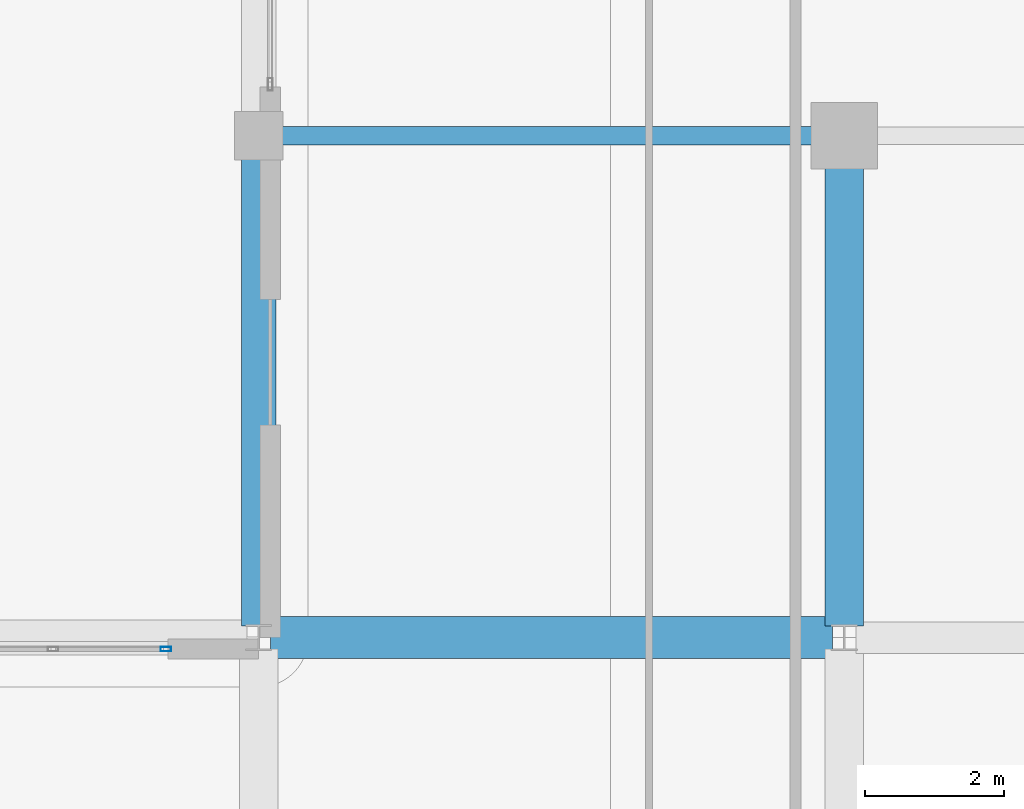
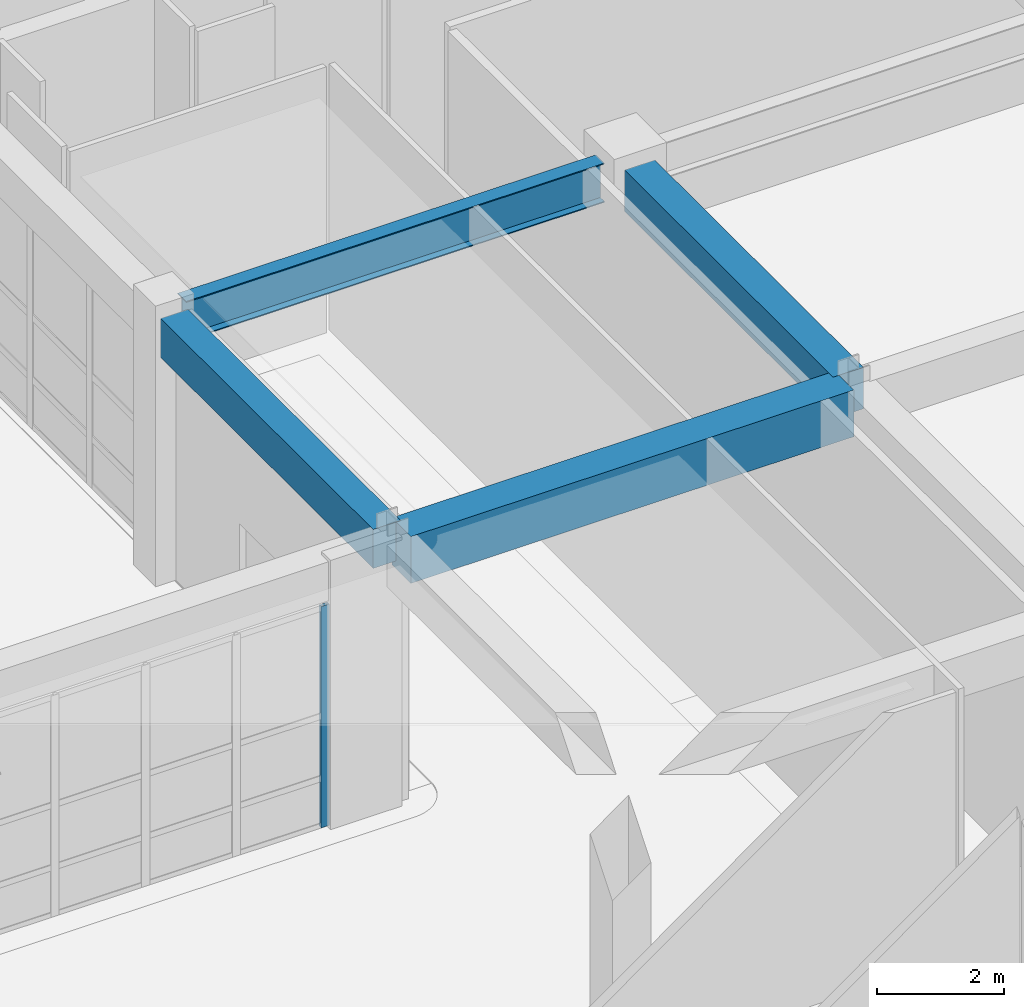
# One storey, part 51 of 148: 4 beams, 1 member, 1 element without a shape of its own.
"""IFC4 building model written with IfcOpenShell, lengths in metres."""

from ifc_helpers import new_model, si_unit, direction, frame, origin, origin_2d, place, context, subcontext, project, spatial, rectangle, hollow_rectangle, i_section, extrude, material, layer, layer_set, material_profile, profile_set, type_object, element, aggregate, save


model = new_model("IFC4")

# Units and contexts
model_context = context("Model", 3, precision=1e-05, world=origin(), true_north=direction((0.0, 1.0)))
body_context = subcontext(model_context, "Body", "Model", "MODEL_VIEW")
ifc_project = project(units=[si_unit("LENGTHUNIT", "METRE"), si_unit("AREAUNIT", "SQUARE_METRE"), si_unit("VOLUMEUNIT", "CUBIC_METRE"), si_unit("PLANEANGLEUNIT", "RADIAN"), si_unit("MASSUNIT", "GRAM", prefix="KILO")], contexts=[model_context])

# Site, building, storey
site_placement = place(None, origin())
site = spatial("IfcSite", under=ifc_project, at=site_placement, CompositionType="ELEMENT")
building_placement = place(site_placement, origin())
building = spatial("IfcBuilding", under=site, at=building_placement, Name="Quendrovan Civic Courthouse", CompositionType="ELEMENT")
storey_placement = place(building_placement, origin())
storey = spatial("IfcBuildingStorey", under=building, at=storey_placement, Name="L01", CompositionType="ELEMENT", Elevation=0.0)

# Beams
ifc_material_1 = material(Name="Concrete C40/50", Category="concrete")
ifc_material_profile_1 = material_profile(ifc_material_1, rectangle(XDim=0.5, YDim=0.75, at=origin_2d()), Name="RC-BM-500x750")
ifc_profile_set_1 = profile_set([ifc_material_profile_1], Name="Concrete C40/50")
beam_type_1 = type_object("IfcBeamType", Name="BM-RC750", PredefinedType="SPANDREL", material=ifc_profile_set_1)
beam_1_placement = place(storey_placement, frame((33.60009765625, 80.56591796875, 4.7451171875), z_axis=(0.0, 1.0, 0.0), x_axis=(-1.0, 0.0, 0.0)))
element("IfcBeam", 1, at=beam_1_placement, inside=storey, type_object=beam_type_1, Name="L01 Girder Y0406", PredefinedType="SPANDREL", context=body_context, shape_type="SweptSolid", body=[
    extrude(rectangle(XDim=0.5, YDim=0.75, at=origin_2d()), origin(), (0.0, 0.0, 1.0), 6.7041015625),
])
ifc_material_profile_2 = material_profile(ifc_material_1, rectangle(XDim=0.550048828125, YDim=0.800048828125, at=origin_2d()), Name="RC-BM-550x800")
ifc_profile_set_2 = profile_set([ifc_material_profile_2], Name="Concrete C40/50")
beam_type_2 = type_object("IfcBeamType", Name="BM-RC800", PredefinedType="BEAM", material=ifc_profile_set_2)
beam_2_placement = place(storey_placement, frame((42.0, 80.56591796875, 4.719970703125), z_axis=(0.0, 1.0, 0.0), x_axis=(-1.0, 0.0, 0.0)))
element("IfcBeam", 2, at=beam_2_placement, inside=storey, type_object=beam_type_2, Name="L01 Girder Y0414", PredefinedType="BEAM", context=body_context, shape_type="SweptSolid", body=[
    extrude(rectangle(XDim=0.550048828125, YDim=0.800048828125, at=origin_2d()), origin(), (0.0, 0.0, 1.0), 6.5791015625),
])
ifc_material_profile_3 = material_profile(ifc_material_1, rectangle(XDim=0.60009765625, YDim=0.89990234375, at=origin_2d()), Name="RC-BM-600x900")
ifc_profile_set_3 = profile_set([ifc_material_profile_3], Name="Concrete C40/50")
beam_type_3 = type_object("IfcBeamType", Name="BM-RC900", PredefinedType="BEAM", material=ifc_profile_set_3)
beam_3_placement = place(storey_placement, frame((33.76708984375, 80.39990234375, 4.669921875), z_axis=(1.0, 0.0, 0.0), x_axis=(0.0, 1.0, 0.0)))
element("IfcBeam", 3, at=beam_3_placement, inside=storey, type_object=beam_type_3, Name="L01 Girder X0311", PredefinedType="BEAM", context=body_context, shape_type="SweptSolid", body=[
    extrude(rectangle(XDim=0.60009765625, YDim=0.89990234375, at=origin_2d()), origin(), (0.0, 0.0, 1.0), 8.06591796875),
])
ifc_material_2 = material(Name="Steel ASTM A992 Grade 50", Category="steel")
ifc_material_profile_4 = material_profile(ifc_material_2, i_section(OverallWidth=0.26611328125, OverallDepth=0.758056640625, WebThickness=0.013916015625, FlangeThickness=0.019287109375, at=origin_2d()), Name="W30X108")
ifc_profile_set_4 = profile_set([ifc_material_profile_4], Name="Steel ASTM A992 Grade 50")
beam_type_4 = type_object("IfcBeamType", Name="BM-STL-W30", PredefinedType="BEAM", material=ifc_profile_set_4)
beam_4_placement = place(storey_placement, frame((33.929931640625, 87.60009765625, 4.740966796875), z_axis=(1.0, 0.0, 0.0), x_axis=(0.0, 1.0, 0.0)))
element("IfcBeam", 4, at=beam_4_placement, inside=storey, type_object=beam_type_4, Name="L01 Girder X0316", PredefinedType="BEAM", context=body_context, shape_type="SweptSolid", body=[
    extrude(i_section(OverallWidth=0.26611328125, OverallDepth=0.758056640625, WebThickness=0.013916015625, FlangeThickness=0.019287109375, at=origin_2d()), origin(), (0.0, 0.0, 1.0), 7.614990234375),
])

# Curtain wall, member
ifc_material_3 = material(Name="Bronze anodised aluminium and low-E glass", Category="aluminium")
ifc_layer = layer(ifc_material_3, 0.179931640625, Name="Bronze anodised aluminium and low-E glass")
ifc_layer_set = layer_set([ifc_layer], Name="Bronze anodised aluminium and low-E glass")
curtain_wall_type = type_object("IfcCurtainWallType", Name="CW-U66x43", PredefinedType="USERDEFINED", material=ifc_layer_set)
curtain_wall_placement = place(storey_placement, origin())
curtain_wall = element("IfcCurtainWall", 5, at=curtain_wall_placement, inside=storey, type_object=curtain_wall_type, Name="L01 Unitised Hurricane Curtain Wall CW-021", ObjectType="UNITISED CURTAIN WALL", PredefinedType="USERDEFINED")
ifc_material_4 = material(Name="Bronze anodised aluminium", Category="aluminium")
ifc_material_profile_5 = material_profile(ifc_material_4, hollow_rectangle(XDim=0.06494140625, YDim=0.14990234375, WallThickness=0.00390625, at=origin_2d()), Name="CW-MULL-65x150")
ifc_profile_set_5 = profile_set([ifc_material_profile_5], Name="Bronze anodised aluminium")
member_type = type_object("IfcMemberType", Name="CW-MULL-B", PredefinedType="MULLION", material=ifc_profile_set_5)
member_placement = place(storey_placement, frame((32.267578125, 80.235107421875, 0.0), z_axis=(0.0, 0.0, 1.0), x_axis=(0.0, 1.0, 0.0)))
member = element("IfcMember", 6, at=member_placement, type_object=member_type, Name="CW-021 mullion 5", PredefinedType="MULLION", context=body_context, shape_type="SweptSolid", body=[
    extrude(hollow_rectangle(XDim=0.06494140625, YDim=0.14990234375, WallThickness=0.00390625, at=origin_2d()), origin(), (0.0, 0.0, 1.0), 4.260009765625),
])
aggregate(curtain_wall, [member])

save(model, "model.ifc")
